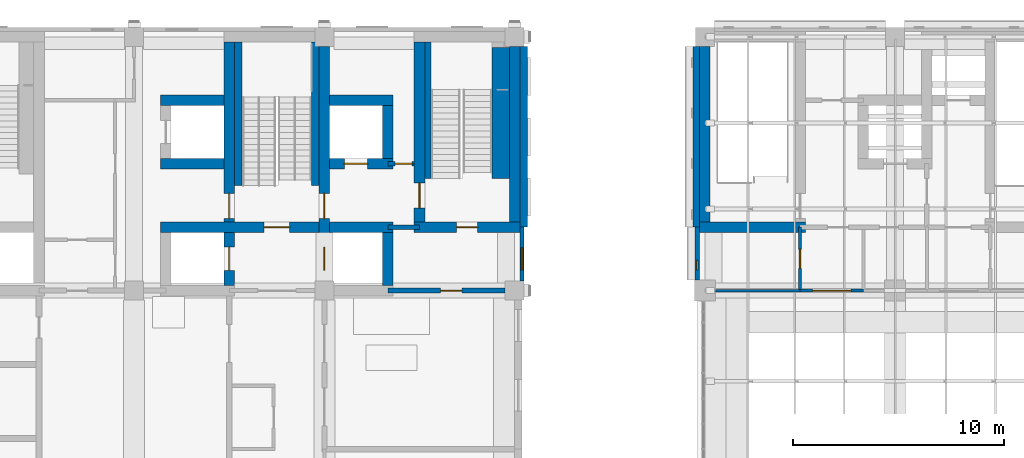
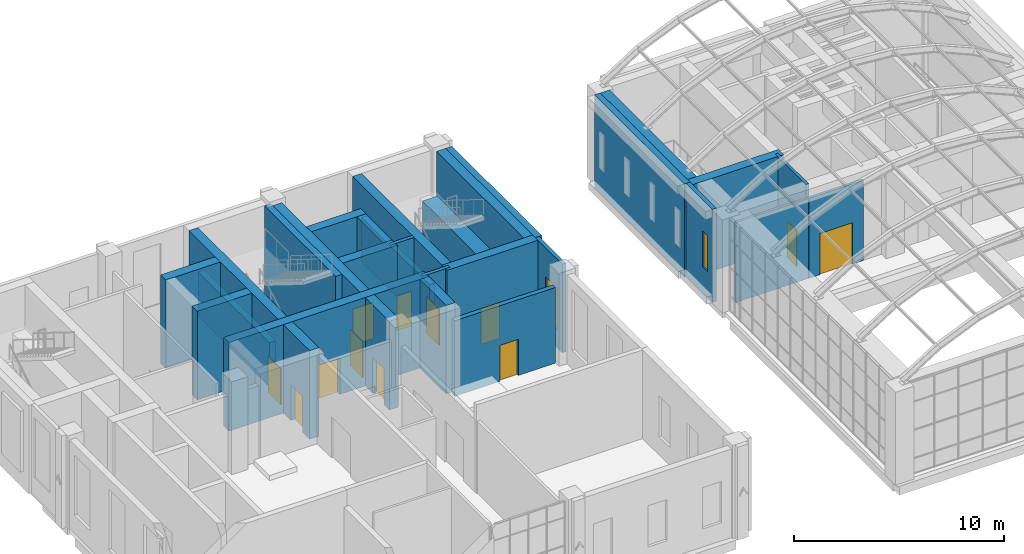
# One storey, part 29 of 39: 28 walls, 12 doors, 2 windows, 14 openings.
"""IFC4 building model written with IfcOpenShell, lengths in metres."""

from ifc_helpers import new_model, si_unit, direction, frame, frame_2d, origin, place, context, subcontext, project, spatial, rectangle, extrude, material, layer, layer_set, type_object, element, fill, save


model = new_model("IFC4")

# Units and contexts
model_context = context("Model", 3, precision=1e-05, world=origin(), true_north=direction((0.0, 1.0)))
body_context = subcontext(model_context, "Body", "Model", "MODEL_VIEW")
ifc_project = project(units=[si_unit("LENGTHUNIT", "METRE"), si_unit("AREAUNIT", "SQUARE_METRE"), si_unit("VOLUMEUNIT", "CUBIC_METRE"), si_unit("PLANEANGLEUNIT", "RADIAN"), si_unit("MASSUNIT", "GRAM", prefix="KILO")], contexts=[model_context])

# Site, building, storey
site_placement = place(None, origin())
site = spatial("IfcSite", under=ifc_project, at=site_placement, CompositionType="ELEMENT")
building_placement = place(site_placement, origin())
building = spatial("IfcBuilding", under=site, at=building_placement, Name="Aurelan Courthouse", CompositionType="ELEMENT")
storey_placement = place(building_placement, frame((0.0, 0.0, 28.199951171875)))
storey = spatial("IfcBuildingStorey", under=building, at=storey_placement, Name="L05", CompositionType="ELEMENT", Elevation=28.199951171875)

# Wall, opening, door
ifc_material_1 = material(Name="Gypsum board on metal studs")
ifc_layer_1 = layer(ifc_material_1, 0.14990234375)
ifc_layer_set_1 = layer_set([ifc_layer_1], Name="Gypsum board on metal studs")
wall_type_1 = type_object("IfcWallType", Name="Corridor partition 150 EI 60", PredefinedType="PARTITIONING", material=ifc_layer_set_1)
wall_1_placement = place(storey_placement, frame((76.5, 54.0, 0.0), z_axis=(0.0, 0.0, 1.0), x_axis=(1.0, 0.0, 0.0)))
wall_1 = element("IfcWall", 1, at=wall_1_placement, inside=storey, type_object=wall_type_1, Name="Corridor partition L05-027", PredefinedType="PARTITIONING", context=body_context, shape_type="SweptSolid", body=[
    extrude(rectangle(XDim=3.0, YDim=0.14990234375, at=frame_2d((1.5, 0.0))), origin(), (0.0, 0.0, 1.0), 4.650146484375),
])
opening_1_placement = place(wall_1_placement, frame((2.400146484375, 0.0, 0.0), z_axis=(0.0, 0.0, 1.0), x_axis=(-1.0, 0.0, 0.0)))
opening_1 = element("IfcOpeningElement", 2, at=opening_1_placement, cuts=wall_1, Name="Opening D-L05-044", PredefinedType="OPENING", context=body_context, shape_type="SweptSolid", body=[
    extrude(rectangle(XDim=1.800048828125, YDim=2.39990234375, at=frame_2d((0.89990234375, 1.199951171875))), frame((0.0, 0.0849609375, 0.0), z_axis=(0.0, -1.0, 0.0), x_axis=(1.0, 0.0, 0.0)), (0.0, 0.0, 1.0), 0.169921875),
])
ifc_material_2 = material(Name="Steel", Category="steel")
door_type_1 = type_object("IfcDoorType", Name="Double door 1800 x 2400 FD60", OperationType="DOUBLE_DOOR_SINGLE_SWING", PredefinedType="DOOR", material=ifc_material_2)
door_1_placement = place(opening_1_placement, origin())
door_1 = element("IfcDoor", 3, at=door_1_placement, inside=storey, type_object=door_type_1, Name="Double door D-L05-044", OperationType="DOUBLE_DOOR_SINGLE_SWING", OverallHeight=2.39990234375, OverallWidth=1.800048828125, PredefinedType="DOOR", context=body_context, shape_type="SweptSolid", body=[
    extrude(rectangle(XDim=1.800048828125, YDim=2.39990234375, at=frame_2d((0.89990234375, 1.199951171875))), frame((0.0, 0.02490234375, 0.0), z_axis=(0.0, -1.0, 0.0), x_axis=(1.0, 0.0, 0.0)), (0.0, 0.0, 1.0), 0.050048828125),
])
fill(opening_1, door_1)

wall_2_placement = place(storey_placement, frame((76.5, 54.0625, 0.0), z_axis=(0.0, 0.0, 1.0), x_axis=(0.0, 1.0, 0.0)))
wall_2 = element("IfcWall", 4, at=wall_2_placement, inside=storey, type_object=wall_type_1, Name="Corridor partition L05-060", PredefinedType="PARTITIONING", context=body_context, shape_type="SweptSolid", body=[
    extrude(rectangle(XDim=2.9375, YDim=0.14990234375, at=frame_2d((1.46875, 0.0))), origin(), (0.0, 0.0, 1.0), 5.400146484375),
])
opening_2_placement = place(wall_2_placement, frame((0.987548828125, 0.0, 0.0)))
opening_2 = element("IfcOpeningElement", 5, at=opening_2_placement, cuts=wall_2, Name="Opening D-L05-042", PredefinedType="OPENING", context=body_context, shape_type="SweptSolid", body=[
    extrude(rectangle(XDim=0.89990234375, YDim=2.10009765625, at=frame_2d((0.449951171875, 1.050048828125))), frame((0.0, 0.0849609375, 0.0), z_axis=(0.0, -1.0, 0.0), x_axis=(1.0, 0.0, 0.0)), (0.0, 0.0, 1.0), 0.169921875),
])
door_type_2 = type_object("IfcDoorType", Name="Single door 900 x 2100 FD60", OperationType="SINGLE_SWING_LEFT", PredefinedType="DOOR", material=ifc_material_2)
door_2_placement = place(opening_2_placement, origin())
door_2 = element("IfcDoor", 6, at=door_2_placement, inside=storey, type_object=door_type_2, Name="Single door D-L05-042", OperationType="SINGLE_SWING_LEFT", OverallHeight=2.10009765625, OverallWidth=0.89990234375, PredefinedType="DOOR", context=body_context, shape_type="SweptSolid", body=[
    extrude(rectangle(XDim=0.89990234375, YDim=2.10009765625, at=frame_2d((0.449951171875, 1.050048828125))), frame((0.0, 0.02490234375, 0.0), z_axis=(0.0, -1.0, 0.0), x_axis=(1.0, 0.0, 0.0)), (0.0, 0.0, 1.0), 0.050048828125),
])
fill(opening_2, door_2)

# Wall, opening, window
ifc_material_3 = material(Name="Limestone cladding", Category="masonry")
ifc_layer_2 = layer(ifc_material_3, 0.054931640625, Name="Facing")
ifc_material_4 = material(Name="Ventilated cavity")
ifc_layer_3 = layer(ifc_material_4, 0.02490234375, ventilated=True, Name="Ventilated cavity")
ifc_material_5 = material(Name="Mineral wool insulation")
ifc_layer_4 = layer(ifc_material_5, 0.030029296875, Name="Insulation")
ifc_material_6 = material(Name="Concrete C30", Category="concrete")
ifc_layer_5 = layer(ifc_material_6, 0.090087890625, Name="Structure")
ifc_layer_set_2 = layer_set([ifc_layer_2, ifc_layer_3, ifc_layer_4, ifc_layer_5], Name="Concrete C30")
wall_type_2 = type_object("IfcWallType", Name="Courtroom Block stone-faced wall 200", PredefinedType="SOLIDWALL", material=ifc_layer_set_2)
wall_3_placement = place(storey_placement, frame((63.35009765625, 54.449951171875, 0.0), z_axis=(0.0, 0.0, 1.0), x_axis=(0.0, 1.0, 0.0)))
wall_3 = element("IfcWall", 7, at=wall_3_placement, inside=storey, type_object=wall_type_2, Name="Facade wall FW-V2-L05-009", PredefinedType="SOLIDWALL", context=body_context, shape_type="SweptSolid", body=[
    extrude(rectangle(XDim=2.550048828125, YDim=0.199951171875, at=frame_2d((1.27490234375, 0.0))), origin(), (0.0, 0.0, 1.0), 5.150146484375),
])
opening_3_placement = place(wall_3_placement, frame((0.52490234375, 0.0, 1.050048828125)))
opening_3 = element("IfcOpeningElement", 8, at=opening_3_placement, cuts=wall_3, Name="Opening WN-V2-L05-014", PredefinedType="OPENING", context=body_context, shape_type="SweptSolid", body=[
    extrude(rectangle(XDim=1.050048828125, YDim=2.39990234375, at=frame_2d((0.52490234375, 1.199951171875))), frame((0.0, 0.10986328125, 0.0), z_axis=(0.0, -1.0, 0.0), x_axis=(1.0, 0.0, 0.0)), (0.0, 0.0, 1.0), 0.219970703125),
])
ifc_material_7 = material(Name="Bronze-finished aluminium and glass", Category="aluminium")
window_type_1 = type_object("IfcWindowType", Name="Courtroom Block window 1050 x 2400, sill 1050", PartitioningType="SINGLE_PANEL", PredefinedType="WINDOW", material=ifc_material_7)
window_1_placement = place(opening_3_placement, origin())
window_1 = element("IfcWindow", 9, at=window_1_placement, inside=storey, type_object=window_type_1, Name="Window WN-V2-L05-014", OverallHeight=2.39990234375, OverallWidth=1.050048828125, PartitioningType="SINGLE_PANEL", PredefinedType="WINDOW", context=body_context, shape_type="SweptSolid", body=[
    extrude(rectangle(XDim=1.050048828125, YDim=2.39990234375, at=frame_2d((0.52490234375, 1.199951171875))), frame((0.0, 0.030029296875, 0.0), z_axis=(0.0, -1.0, 0.0), x_axis=(1.0, 0.0, 0.0)), (0.0, 0.0, 1.0), 0.06005859375),
])
fill(opening_3, window_1)

# Wall
ifc_layer_6 = layer(ifc_material_3, 0.10009765625, Name="Facing")
ifc_layer_7 = layer(ifc_material_4, 0.02490234375, ventilated=True, Name="Ventilated cavity")
ifc_layer_8 = layer(ifc_material_5, 0.050048828125, Name="Insulation")
ifc_layer_9 = layer(ifc_material_6, 0.175048828125, Name="Structure")
ifc_layer_set_3 = layer_set([ifc_layer_6, ifc_layer_7, ifc_layer_8, ifc_layer_9], Name="Concrete C30")
wall_type_3 = type_object("IfcWallType", Name="Courtroom Block stone-faced wall 350", PredefinedType="SOLIDWALL", material=ifc_layer_set_3)
wall_4_placement = place(storey_placement, frame((63.425048828125, 57.0, 0.0), z_axis=(0.0, 0.0, 1.0), x_axis=(0.0, 1.0, 0.0)))
element("IfcWall", 10, at=wall_4_placement, inside=storey, type_object=wall_type_3, Name="Facade wall FW-V2-L05-010", PredefinedType="SOLIDWALL", context=body_context, shape_type="SweptSolid", body=[
    extrude(rectangle(XDim=8.550048828125, YDim=0.35009765625, at=frame_2d((4.27490234375, 0.0))), origin(), (0.0, 0.0, 1.0), 5.150146484375),
])

# Wall, opening, door
ifc_material_8 = material(Name="Masonry block", Category="masonry")
ifc_layer_10 = layer(ifc_material_8, 0.25)
ifc_layer_set_4 = layer_set([ifc_layer_10], Name="Masonry block")
wall_type_4 = type_object("IfcWallType", Name="Courtroom wall 250 EI 60", PredefinedType="PARTITIONING", material=ifc_layer_set_4)
wall_5_placement = place(storey_placement, frame((57.0, 54.0, 0.0), z_axis=(0.0, 0.0, 1.0), x_axis=(1.0, 0.0, 0.0)))
wall_5 = element("IfcWall", 11, at=wall_5_placement, inside=storey, type_object=wall_type_4, Name="Courtroom wall L05-025", PredefinedType="PARTITIONING", context=body_context, shape_type="SweptSolid", body=[
    extrude(rectangle(XDim=5.550048828125, YDim=0.25, at=frame_2d((2.77490234375, 0.0))), origin(), (0.0, 0.0, 1.0), 4.400146484375),
])
opening_4_placement = place(wall_5_placement, frame((2.5, 0.0, 0.0)))
opening_4 = element("IfcOpeningElement", 12, at=opening_4_placement, cuts=wall_5, Name="Opening D-L05-032", PredefinedType="OPENING", context=body_context, shape_type="SweptSolid", body=[
    extrude(rectangle(XDim=1.0, YDim=2.10009765625, at=frame_2d((0.5, 1.050048828125))), frame((0.0, 0.135009765625, 0.0), z_axis=(0.0, -1.0, 0.0), x_axis=(1.0, 0.0, 0.0)), (0.0, 0.0, 1.0), 0.27001953125),
])
door_type_3 = type_object("IfcDoorType", Name="Single door 1000 x 2100 FD30", OperationType="SINGLE_SWING_LEFT", PredefinedType="DOOR", material=ifc_material_2)
door_3_placement = place(opening_4_placement, origin())
door_3 = element("IfcDoor", 13, at=door_3_placement, inside=storey, type_object=door_type_3, Name="Single door D-L05-032", OperationType="SINGLE_SWING_LEFT", OverallHeight=2.10009765625, OverallWidth=1.0, PredefinedType="DOOR", context=body_context, shape_type="SweptSolid", body=[
    extrude(rectangle(XDim=1.0, YDim=2.10009765625, at=frame_2d((0.5, 1.050048828125))), frame((0.0, 0.02490234375, 0.0), z_axis=(0.0, -1.0, 0.0), x_axis=(1.0, 0.0, 0.0)), (0.0, 0.0, 1.0), 0.050048828125),
])
fill(opening_4, door_3)

# Wall, opening, window
ifc_layer_11 = layer(ifc_material_3, 0.06494140625, Name="Facing")
ifc_layer_12 = layer(ifc_material_4, 0.02490234375, ventilated=True, Name="Ventilated cavity")
ifc_layer_13 = layer(ifc_material_5, 0.030029296875, Name="Insulation")
ifc_layer_14 = layer(ifc_material_6, 0.10009765625, Name="Structure")
ifc_layer_set_5 = layer_set([ifc_layer_11, ifc_layer_12, ifc_layer_13, ifc_layer_14], Name="Concrete C30")
wall_type_5 = type_object("IfcWallType", Name="Law Library stone-faced wall 220", PredefinedType="SOLIDWALL", material=ifc_layer_set_5)
wall_6_placement = place(storey_placement, frame((71.639892578125, 54.5, 0.0), z_axis=(0.0, 0.0, 1.0), x_axis=(0.0, 1.0, 0.0)))
wall_6 = element("IfcWall", 14, at=wall_6_placement, inside=storey, type_object=wall_type_5, Name="Facade wall FW-V3-L05-005", PredefinedType="SOLIDWALL", context=body_context, shape_type="SweptSolid", body=[
    extrude(rectangle(XDim=2.5, YDim=0.219970703125, at=frame_2d((1.25, 0.0))), origin(), (0.0, 0.0, 1.0), 5.400146484375),
])
opening_5_placement = place(wall_6_placement, frame((0.47509765625, 0.0, 1.5)))
opening_5 = element("IfcOpeningElement", 15, at=opening_5_placement, cuts=wall_6, Name="Opening WN-V3-L05-002", PredefinedType="OPENING", context=body_context, shape_type="SweptSolid", body=[
    extrude(rectangle(XDim=0.449951171875, YDim=2.10009765625, at=frame_2d((0.22509765625, 1.050048828125))), frame((0.0, 0.119873046875, 0.0), z_axis=(0.0, -1.0, 0.0), x_axis=(1.0, 0.0, 0.0)), (0.0, 0.0, 1.0), 0.239990234375),
])
window_type_2 = type_object("IfcWindowType", Name="Law Library slit window 450 x 2100, sill 1500", PartitioningType="SINGLE_PANEL", PredefinedType="WINDOW", material=ifc_material_7)
window_2_placement = place(opening_5_placement, origin())
window_2 = element("IfcWindow", 16, at=window_2_placement, inside=storey, type_object=window_type_2, Name="Slit window WN-V3-L05-002", OverallHeight=2.10009765625, OverallWidth=0.449951171875, PartitioningType="SINGLE_PANEL", PredefinedType="WINDOW", context=body_context, shape_type="SweptSolid", body=[
    extrude(rectangle(XDim=0.449951171875, YDim=2.10009765625, at=frame_2d((0.22509765625, 1.050048828125))), frame((0.0, 0.030029296875, 0.0), z_axis=(0.0, -1.0, 0.0), x_axis=(1.0, 0.0, 0.0)), (0.0, 0.0, 1.0), 0.06005859375),
])
fill(opening_5, window_2)

# Walls
ifc_layer_15 = layer(ifc_material_3, 0.090087890625, Name="Facing")
ifc_layer_16 = layer(ifc_material_4, 0.02490234375, ventilated=True, Name="Ventilated cavity")
ifc_layer_17 = layer(ifc_material_5, 0.044921875, Name="Insulation")
ifc_layer_18 = layer(ifc_material_6, 0.159912109375, Name="Structure")
ifc_layer_set_6 = layer_set([ifc_layer_15, ifc_layer_16, ifc_layer_17, ifc_layer_18], Name="Concrete C30")
wall_type_6 = type_object("IfcWallType", Name="Law Library stone-faced wall 320", PredefinedType="SOLIDWALL", material=ifc_layer_set_6)
wall_7_placement = place(storey_placement, frame((71.590087890625, 57.0, 0.0), z_axis=(0.0, 0.0, 1.0), x_axis=(0.0, 1.0, 0.0)))
element("IfcWall", 17, at=wall_7_placement, inside=storey, type_object=wall_type_6, Name="Facade wall FW-V3-L05-006", PredefinedType="SOLIDWALL", context=body_context, shape_type="SweptSolid", body=[
    extrude(rectangle(XDim=8.550048828125, YDim=0.320068359375, at=frame_2d((4.27490234375, 0.0))), origin(), (0.0, 0.0, 1.0), 5.400146484375),
])
ifc_layer_19 = layer(ifc_material_8, 0.199951171875)
ifc_layer_set_7 = layer_set([ifc_layer_19], Name="Masonry block")
wall_type_7 = type_object("IfcWallType", Name="Lift lobby wall 200 EI 60", PredefinedType="PARTITIONING", material=ifc_layer_set_7)
wall_8_placement = place(storey_placement, frame((57.0, 57.0, 0.0), z_axis=(0.0, 0.0, 1.0), x_axis=(1.0, 0.0, 0.0)))
element("IfcWall", 18, at=wall_8_placement, inside=storey, type_object=wall_type_7, Name="Lift lobby wall L05-033", PredefinedType="PARTITIONING", context=body_context, shape_type="SweptSolid", body=[
    extrude(rectangle(XDim=1.5, YDim=0.199951171875, at=frame_2d((0.75, 0.0))), origin(), (0.0, 0.0, 1.0), 5.150146484375),
])

# Wall, openings, doors
ifc_material_9 = material(Name="Concrete C50", Category="concrete")
ifc_layer_20 = layer(ifc_material_9, 0.5)
ifc_layer_set_8 = layer_set([ifc_layer_20], Name="Concrete C50")
wall_type_8 = type_object("IfcWallType", Name="RC shear wall 500", PredefinedType="SHEAR", material=ifc_layer_set_8)
wall_9_placement = place(storey_placement, frame((49.5, 54.25, 0.0), z_axis=(0.0, 0.0, 1.0), x_axis=(0.0, 1.0, 0.0)))
wall_9 = element("IfcWall", 19, at=wall_9_placement, inside=storey, type_object=wall_type_8, Name="Core wall SW-L05-022", PredefinedType="SHEAR", context=body_context, shape_type="SweptSolid", body=[
    extrude(rectangle(XDim=11.5, YDim=0.5, at=frame_2d((5.75, 0.0))), origin(), (0.0, 0.0, 1.0), 5.150146484375),
])
opening_6_placement = place(wall_9_placement, frame((0.699951171875, 0.0, 0.0)))
opening_6 = element("IfcOpeningElement", 20, at=opening_6_placement, cuts=wall_9, Name="Opening LD-V2-P1-L05", PredefinedType="OPENING", context=body_context, shape_type="SweptSolid", body=[
    extrude(rectangle(XDim=1.10009765625, YDim=2.10009765625, at=frame_2d((0.550048828125, 1.050048828125))), frame((0.0, 0.260009765625, 0.0), z_axis=(0.0, -1.0, 0.0), x_axis=(1.0, 0.0, 0.0)), (0.0, 0.0, 1.0), 0.52001953125),
])
opening_7_placement = place(wall_9_placement, frame((4.349853515625, 0.0, 0.0), z_axis=(0.0, 0.0, 1.0), x_axis=(-1.0, 0.0, 0.0)))
opening_7 = element("IfcOpeningElement", 21, at=opening_7_placement, cuts=wall_9, Name="Opening D-L05-011", PredefinedType="OPENING", context=body_context, shape_type="SweptSolid", body=[
    extrude(rectangle(XDim=1.199951171875, YDim=2.10009765625, at=frame_2d((0.60009765625, 1.050048828125))), frame((0.0, 0.260009765625, 0.0), z_axis=(0.0, -1.0, 0.0), x_axis=(1.0, 0.0, 0.0)), (0.0, 0.0, 1.0), 0.52001953125),
])
door_type_4 = type_object("IfcDoorType", Name="Lift landing door 1100 x 2100 FD90", OperationType="SLIDING_TO_LEFT", PredefinedType="DOOR", material=ifc_material_2)
door_4_placement = place(opening_6_placement, origin())
door_4 = element("IfcDoor", 22, at=door_4_placement, inside=storey, type_object=door_type_4, Name="Lift landing door LD-V2-P1-L05", OperationType="SLIDING_TO_LEFT", OverallHeight=2.10009765625, OverallWidth=1.10009765625, PredefinedType="DOOR", context=body_context, shape_type="SweptSolid", body=[
    extrude(rectangle(XDim=1.10009765625, YDim=2.10009765625, at=frame_2d((0.550048828125, 1.050048828125))), frame((0.0, 0.02490234375, 0.0), z_axis=(0.0, -1.0, 0.0), x_axis=(1.0, 0.0, 0.0)), (0.0, 0.0, 1.0), 0.050048828125),
])
fill(opening_6, door_4)
door_type_5 = type_object("IfcDoorType", Name="Single door 1200 x 2100 FD90", OperationType="SINGLE_SWING_LEFT", PredefinedType="DOOR", material=ifc_material_2)
door_5_placement = place(opening_7_placement, origin())
door_5 = element("IfcDoor", 23, at=door_5_placement, inside=storey, type_object=door_type_5, Name="Single door D-L05-011", OperationType="SINGLE_SWING_RIGHT", OverallHeight=2.10009765625, OverallWidth=1.199951171875, PredefinedType="DOOR", context=body_context, shape_type="SweptSolid", body=[
    extrude(rectangle(XDim=1.199951171875, YDim=2.10009765625, at=frame_2d((0.60009765625, 1.050048828125))), frame((0.0, 0.02490234375, 0.0), z_axis=(0.0, -1.0, 0.0), x_axis=(1.0, 0.0, 0.0)), (0.0, 0.0, 1.0), 0.050048828125),
])
fill(opening_7, door_5)

# Wall
wall_10_placement = place(storey_placement, frame((57.0, 54.25, 0.0), z_axis=(0.0, 0.0, 1.0), x_axis=(0.0, 1.0, 0.0)))
element("IfcWall", 24, at=wall_10_placement, inside=storey, type_object=wall_type_8, Name="Core wall SW-L05-023", PredefinedType="SHEAR", context=body_context, shape_type="SweptSolid", body=[
    extrude(rectangle(XDim=2.5, YDim=0.5, at=frame_2d((1.25, 0.0))), origin(), (0.0, 0.0, 1.0), 5.150146484375),
])

# Wall, openings, doors
wall_11_placement = place(storey_placement, frame((54.0, 54.449951171875, 0.0), z_axis=(0.0, 0.0, 1.0), x_axis=(0.0, 1.0, 0.0)))
wall_11 = element("IfcWall", 25, at=wall_11_placement, inside=storey, type_object=wall_type_8, Name="Core wall SW-L05-024", PredefinedType="SHEAR", context=body_context, shape_type="SweptSolid", body=[
    extrude(rectangle(XDim=11.10009765625, YDim=0.5, at=frame_2d((5.550048828125, 0.0))), origin(), (0.0, 0.0, 1.0), 5.150146484375),
])
opening_8_placement = place(wall_11_placement, frame((0.5, 0.0, 0.0)))
opening_8 = element("IfcOpeningElement", 26, at=opening_8_placement, cuts=wall_11, Name="Opening LD-V2-P2-L05", PredefinedType="OPENING", context=body_context, shape_type="SweptSolid", body=[
    extrude(rectangle(XDim=1.10009765625, YDim=2.10009765625, at=frame_2d((0.550048828125, 1.050048828125))), frame((0.0, 0.260009765625, 0.0), z_axis=(0.0, -1.0, 0.0), x_axis=(1.0, 0.0, 0.0)), (0.0, 0.0, 1.0), 0.52001953125),
])
opening_9_placement = place(wall_11_placement, frame((2.949951171875, 0.0, 0.0)))
opening_9 = element("IfcOpeningElement", 27, at=opening_9_placement, cuts=wall_11, Name="Opening D-L05-007", PredefinedType="OPENING", context=body_context, shape_type="SweptSolid", body=[
    extrude(rectangle(XDim=1.199951171875, YDim=2.10009765625, at=frame_2d((0.60009765625, 1.050048828125))), frame((0.0, 0.260009765625, 0.0), z_axis=(0.0, -1.0, 0.0), x_axis=(1.0, 0.0, 0.0)), (0.0, 0.0, 1.0), 0.52001953125),
])
door_6_placement = place(opening_8_placement, origin())
door_6 = element("IfcDoor", 28, at=door_6_placement, inside=storey, type_object=door_type_4, Name="Lift landing door LD-V2-P2-L05", OperationType="SLIDING_TO_LEFT", OverallHeight=2.10009765625, OverallWidth=1.10009765625, PredefinedType="DOOR", context=body_context, shape_type="SweptSolid", body=[
    extrude(rectangle(XDim=1.10009765625, YDim=2.10009765625, at=frame_2d((0.550048828125, 1.050048828125))), frame((0.0, 0.02490234375, 0.0), z_axis=(0.0, -1.0, 0.0), x_axis=(1.0, 0.0, 0.0)), (0.0, 0.0, 1.0), 0.050048828125),
])
fill(opening_8, door_6)
door_7_placement = place(opening_9_placement, origin())
door_7 = element("IfcDoor", 29, at=door_7_placement, inside=storey, type_object=door_type_5, Name="Single door D-L05-007", OperationType="SINGLE_SWING_LEFT", OverallHeight=2.10009765625, OverallWidth=1.199951171875, PredefinedType="DOOR", context=body_context, shape_type="SweptSolid", body=[
    extrude(rectangle(XDim=1.199951171875, YDim=2.10009765625, at=frame_2d((0.60009765625, 1.050048828125))), frame((0.0, 0.02490234375, 0.0), z_axis=(0.0, -1.0, 0.0), x_axis=(1.0, 0.0, 0.0)), (0.0, 0.0, 1.0), 0.050048828125),
])
fill(opening_9, door_7)

# Wall, opening, door
wall_12_placement = place(storey_placement, frame((46.25, 57.0, 0.0), z_axis=(0.0, 0.0, 1.0), x_axis=(1.0, 0.0, 0.0)))
wall_12 = element("IfcWall", 30, at=wall_12_placement, inside=storey, type_object=wall_type_8, Name="Core wall SW-L05-026", PredefinedType="SHEAR", context=body_context, shape_type="SweptSolid", body=[
    extrude(rectangle(XDim=11.0, YDim=0.5, at=frame_2d((5.5, 0.0))), origin(), (0.0, 0.0, 1.0), 5.150146484375),
])
opening_10_placement = place(wall_12_placement, frame((4.89990234375, 0.0, 0.0)))
opening_10 = element("IfcOpeningElement", 31, at=opening_10_placement, cuts=wall_12, Name="Opening D-L05-005", PredefinedType="OPENING", context=body_context, shape_type="SweptSolid", body=[
    extrude(rectangle(XDim=1.199951171875, YDim=2.10009765625, at=frame_2d((0.60009765625, 1.050048828125))), frame((0.0, 0.260009765625, 0.0), z_axis=(0.0, -1.0, 0.0), x_axis=(1.0, 0.0, 0.0)), (0.0, 0.0, 1.0), 0.52001953125),
])
door_8_placement = place(opening_10_placement, origin())
door_8 = element("IfcDoor", 32, at=door_8_placement, inside=storey, type_object=door_type_5, Name="Single door D-L05-005", OperationType="SINGLE_SWING_RIGHT", OverallHeight=2.10009765625, OverallWidth=1.199951171875, PredefinedType="DOOR", context=body_context, shape_type="SweptSolid", body=[
    extrude(rectangle(XDim=1.199951171875, YDim=2.10009765625, at=frame_2d((0.60009765625, 1.050048828125))), frame((0.0, 0.02490234375, 0.0), z_axis=(0.0, -1.0, 0.0), x_axis=(1.0, 0.0, 0.0)), (0.0, 0.0, 1.0), 0.050048828125),
])
fill(opening_10, door_8)

wall_13_placement = place(storey_placement, frame((58.25, 57.0, 0.0), z_axis=(0.0, 0.0, 1.0), x_axis=(1.0, 0.0, 0.0)))
wall_13 = element("IfcWall", 33, at=wall_13_placement, inside=storey, type_object=wall_type_8, Name="Core wall SW-L05-027", PredefinedType="SHEAR", context=body_context, shape_type="SweptSolid", body=[
    extrude(rectangle(XDim=5.0, YDim=0.5, at=frame_2d((2.5, 0.0))), origin(), (0.0, 0.0, 1.0), 5.150146484375),
])
opening_11_placement = place(wall_13_placement, frame((2.0, 0.0, 0.0)))
opening_11 = element("IfcOpeningElement", 34, at=opening_11_placement, cuts=wall_13, Name="Opening D-L05-031", PredefinedType="OPENING", context=body_context, shape_type="SweptSolid", body=[
    extrude(rectangle(XDim=1.0, YDim=2.10009765625, at=frame_2d((0.5, 1.050048828125))), frame((0.0, 0.260009765625, 0.0), z_axis=(0.0, -1.0, 0.0), x_axis=(1.0, 0.0, 0.0)), (0.0, 0.0, 1.0), 0.52001953125),
])
door_type_6 = type_object("IfcDoorType", Name="Single door 1000 x 2100 FD90", OperationType="SINGLE_SWING_LEFT", PredefinedType="DOOR", material=ifc_material_2)
door_9_placement = place(opening_11_placement, origin())
door_9 = element("IfcDoor", 35, at=door_9_placement, inside=storey, type_object=door_type_6, Name="Single door D-L05-031", OperationType="SINGLE_SWING_RIGHT", OverallHeight=2.10009765625, OverallWidth=1.0, PredefinedType="DOOR", context=body_context, shape_type="SweptSolid", body=[
    extrude(rectangle(XDim=1.0, YDim=2.10009765625, at=frame_2d((0.5, 1.050048828125))), frame((0.0, 0.02490234375, 0.0), z_axis=(0.0, -1.0, 0.0), x_axis=(1.0, 0.0, 0.0)), (0.0, 0.0, 1.0), 0.050048828125),
])
fill(opening_11, door_9)

# Wall
wall_14_placement = place(storey_placement, frame((71.75, 57.0, 0.0), z_axis=(0.0, 0.0, 1.0), x_axis=(1.0, 0.0, 0.0)))
element("IfcWall", 36, at=wall_14_placement, inside=storey, type_object=wall_type_8, Name="Core wall SW-L05-028", PredefinedType="SHEAR", context=body_context, shape_type="SweptSolid", body=[
    extrude(rectangle(XDim=5.0, YDim=0.5, at=frame_2d((2.5, 0.0))), origin(), (0.0, 0.0, 1.0), 5.400146484375),
])

# Wall, opening, door
wall_15_placement = place(storey_placement, frame((58.5, 57.25, 0.0), z_axis=(0.0, 0.0, 1.0), x_axis=(0.0, 1.0, 0.0)))
wall_15 = element("IfcWall", 37, at=wall_15_placement, inside=storey, type_object=wall_type_8, Name="Core wall SW-L05-031", PredefinedType="SHEAR", context=body_context, shape_type="SweptSolid", body=[
    extrude(rectangle(XDim=8.5, YDim=0.5, at=frame_2d((4.25, 0.0))), origin(), (0.0, 0.0, 1.0), 5.150146484375),
])
opening_12_placement = place(wall_15_placement, frame((1.849853515625, 0.0, 0.0), z_axis=(0.0, 0.0, 1.0), x_axis=(-1.0, 0.0, 0.0)))
opening_12 = element("IfcOpeningElement", 38, at=opening_12_placement, cuts=wall_15, Name="Opening D-L05-008", PredefinedType="OPENING", context=body_context, shape_type="SweptSolid", body=[
    extrude(rectangle(XDim=1.199951171875, YDim=2.10009765625, at=frame_2d((0.60009765625, 1.050048828125))), frame((0.0, 0.260009765625, 0.0), z_axis=(0.0, -1.0, 0.0), x_axis=(1.0, 0.0, 0.0)), (0.0, 0.0, 1.0), 0.52001953125),
])
door_10_placement = place(opening_12_placement, origin())
door_10 = element("IfcDoor", 39, at=door_10_placement, inside=storey, type_object=door_type_5, Name="Single door D-L05-008", OperationType="SINGLE_SWING_RIGHT", OverallHeight=2.10009765625, OverallWidth=1.199951171875, PredefinedType="DOOR", context=body_context, shape_type="SweptSolid", body=[
    extrude(rectangle(XDim=1.199951171875, YDim=2.10009765625, at=frame_2d((0.60009765625, 1.050048828125))), frame((0.0, 0.02490234375, 0.0), z_axis=(0.0, -1.0, 0.0), x_axis=(1.0, 0.0, 0.0)), (0.0, 0.0, 1.0), 0.050048828125),
])
fill(opening_12, door_10)

# Walls
wall_16_placement = place(storey_placement, frame((63.0, 57.25, 0.0), z_axis=(0.0, 0.0, 1.0), x_axis=(0.0, 1.0, 0.0)))
element("IfcWall", 40, at=wall_16_placement, inside=storey, type_object=wall_type_8, Name="Core wall SW-L05-032", PredefinedType="SHEAR", context=body_context, shape_type="SweptSolid", body=[
    extrude(rectangle(XDim=8.300048828125, YDim=0.5, at=frame_2d((4.14990234375, 0.0))), origin(), (0.0, 0.0, 1.0), 5.150146484375),
])
wall_17_placement = place(storey_placement, frame((72.0, 57.25, 0.0), z_axis=(0.0, 0.0, 1.0), x_axis=(0.0, 1.0, 0.0)))
element("IfcWall", 41, at=wall_17_placement, inside=storey, type_object=wall_type_8, Name="Core wall SW-L05-033", PredefinedType="SHEAR", context=body_context, shape_type="SweptSolid", body=[
    extrude(rectangle(XDim=8.300048828125, YDim=0.5, at=frame_2d((4.14990234375, 0.0))), origin(), (0.0, 0.0, 1.0), 5.400146484375),
])
wall_18_placement = place(storey_placement, frame((46.25, 60.0, 0.0), z_axis=(0.0, 0.0, 1.0), x_axis=(1.0, 0.0, 0.0)))
element("IfcWall", 42, at=wall_18_placement, inside=storey, type_object=wall_type_8, Name="Core wall SW-L05-037", PredefinedType="SHEAR", context=body_context, shape_type="SweptSolid", body=[
    extrude(rectangle(XDim=3.0, YDim=0.5, at=frame_2d((1.5, 0.0))), origin(), (0.0, 0.0, 1.0), 5.150146484375),
])

# Wall, opening, door
wall_19_placement = place(storey_placement, frame((54.25, 60.0, 0.0), z_axis=(0.0, 0.0, 1.0), x_axis=(1.0, 0.0, 0.0)))
wall_19 = element("IfcWall", 43, at=wall_19_placement, inside=storey, type_object=wall_type_8, Name="Core wall SW-L05-038", PredefinedType="SHEAR", context=body_context, shape_type="SweptSolid", body=[
    extrude(rectangle(XDim=3.0, YDim=0.5, at=frame_2d((1.5, 0.0))), origin(), (0.0, 0.0, 1.0), 5.150146484375),
])
opening_13_placement = place(wall_19_placement, frame((0.699951171875, 0.0, 0.0)))
opening_13 = element("IfcOpeningElement", 44, at=opening_13_placement, cuts=wall_19, Name="Opening LD-V2-F1-L05", PredefinedType="OPENING", context=body_context, shape_type="SweptSolid", body=[
    extrude(rectangle(XDim=1.10009765625, YDim=2.10009765625, at=frame_2d((0.550048828125, 1.050048828125))), frame((0.0, 0.260009765625, 0.0), z_axis=(0.0, -1.0, 0.0), x_axis=(1.0, 0.0, 0.0)), (0.0, 0.0, 1.0), 0.52001953125),
])
door_11_placement = place(opening_13_placement, origin())
door_11 = element("IfcDoor", 45, at=door_11_placement, inside=storey, type_object=door_type_4, Name="Lift landing door LD-V2-F1-L05", OperationType="SLIDING_TO_LEFT", OverallHeight=2.10009765625, OverallWidth=1.10009765625, PredefinedType="DOOR", context=body_context, shape_type="SweptSolid", body=[
    extrude(rectangle(XDim=1.10009765625, YDim=2.10009765625, at=frame_2d((0.550048828125, 1.050048828125))), frame((0.0, 0.02490234375, 0.0), z_axis=(0.0, -1.0, 0.0), x_axis=(1.0, 0.0, 0.0)), (0.0, 0.0, 1.0), 0.050048828125),
])
fill(opening_13, door_11)

# Walls
wall_20_placement = place(storey_placement, frame((57.0, 60.25, 0.0), z_axis=(0.0, 0.0, 1.0), x_axis=(0.0, 1.0, 0.0)))
element("IfcWall", 46, at=wall_20_placement, inside=storey, type_object=wall_type_8, Name="Core wall SW-L05-041", PredefinedType="SHEAR", context=body_context, shape_type="SweptSolid", body=[
    extrude(rectangle(XDim=2.5, YDim=0.5, at=frame_2d((1.25, 0.0))), origin(), (0.0, 0.0, 1.0), 5.150146484375),
])
for number, where, z_axis, x_axis, name in (
    (47, (46.25, 63.0, 0.0), (0.0, 0.0, 1.0), (1.0, 0.0, 0.0), "Core wall SW-L05-044"),
    (48, (54.25, 63.0, 0.0), (0.0, 0.0, 1.0), (1.0, 0.0, 0.0), "Core wall SW-L05-045"),
):
    element("IfcWall", number, at=place(storey_placement, frame(where, z_axis=z_axis, x_axis=x_axis)), inside=storey, type_object=wall_type_8, Name=name, PredefinedType="SHEAR", context=body_context, shape_type="SweptSolid", body=[
        extrude(rectangle(XDim=3.0, YDim=0.5, at=frame_2d((1.5, 0.0))), origin(), (0.0, 0.0, 1.0), 5.150146484375),
    ])

# Wall, opening, door
ifc_layer_21 = layer(ifc_material_6, 0.199951171875)
ifc_layer_set_9 = layer_set([ifc_layer_21], Name="Concrete C30")
wall_type_9 = type_object("IfcWallType", Name="Shaft wall 200 EI 120 load-bearing", PredefinedType="SHEAR", material=ifc_layer_set_9)
wall_21_placement = place(storey_placement, frame((57.0, 60.0, 0.0), z_axis=(0.0, 0.0, 1.0), x_axis=(1.0, 0.0, 0.0)))
wall_21 = element("IfcWall", 49, at=wall_21_placement, inside=storey, type_object=wall_type_9, Name="Shaft wall L05-036", PredefinedType="SHEAR", context=body_context, shape_type="SweptSolid", body=[
    extrude(rectangle(XDim=1.25, YDim=0.199951171875, at=frame_2d((0.625, 0.0))), origin(), (0.0, 0.0, 1.0), 5.150146484375),
])
opening_14_placement = place(wall_21_placement, frame((1.150146484375, 0.0, 0.0), z_axis=(0.0, 0.0, 1.0), x_axis=(-1.0, 0.0, 0.0)))
opening_14 = element("IfcOpeningElement", 50, at=opening_14_placement, cuts=wall_21, Name="Opening D-L05-009", PredefinedType="OPENING", context=body_context, shape_type="SweptSolid", body=[
    extrude(rectangle(XDim=0.800048828125, YDim=2.0, at=frame_2d((0.39990234375, 1.0))), frame((0.0, 0.10986328125, 0.0), z_axis=(0.0, -1.0, 0.0), x_axis=(1.0, 0.0, 0.0)), (0.0, 0.0, 1.0), 0.219970703125),
])
door_type_7 = type_object("IfcDoorType", Name="Single door 800 x 2000 FD90", OperationType="SINGLE_SWING_LEFT", PredefinedType="DOOR", material=ifc_material_2)
door_12_placement = place(opening_14_placement, origin())
door_12 = element("IfcDoor", 51, at=door_12_placement, inside=storey, type_object=door_type_7, Name="Single door D-L05-009", OperationType="SINGLE_SWING_LEFT", OverallHeight=2.0, OverallWidth=0.800048828125, PredefinedType="DOOR", context=body_context, shape_type="SweptSolid", body=[
    extrude(rectangle(XDim=0.800048828125, YDim=2.0, at=frame_2d((0.39990234375, 1.0))), frame((0.0, 0.02490234375, 0.0), z_axis=(0.0, -1.0, 0.0), x_axis=(1.0, 0.0, 0.0)), (0.0, 0.0, 1.0), 0.050048828125),
])
fill(opening_14, door_12)

# Walls
ifc_layer_22 = layer(ifc_material_6, 0.2900390625)
ifc_layer_set_10 = layer_set([ifc_layer_22], Name="Concrete C30")
wall_type_10 = type_object("IfcWallType", Name="Stair well wall 290 EI 120 load-bearing", PredefinedType="SHEAR", material=ifc_layer_set_10)
wall_22_placement = place(storey_placement, frame((58.89501953125, 59.31005859375, 0.0), z_axis=(0.0, 0.0, 1.0), x_axis=(0.0, 1.0, 0.0)))
element("IfcWall", 52, at=wall_22_placement, inside=storey, type_object=wall_type_10, Name="Stair well wall ST-2E-L05 A", PredefinedType="SHEAR", context=body_context, shape_type="SweptSolid", body=[
    extrude(rectangle(XDim=6.43994140625, YDim=0.2900390625, at=frame_2d((3.219970703125, 0.0))), origin(), (0.0, 0.0, 1.0), 2.587158203125),
])
ifc_layer_23 = layer(ifc_material_6, 0.35009765625)
ifc_layer_set_11 = layer_set([ifc_layer_23], Name="Concrete C30")
wall_type_11 = type_object("IfcWallType", Name="Stair well wall 350 EI 120 load-bearing", PredefinedType="SHEAR", material=ifc_layer_set_11)
wall_23_placement = place(storey_placement, frame((49.925048828125, 58.9599609375, 0.0), z_axis=(0.0, 0.0, 1.0), x_axis=(0.0, 1.0, 0.0)))
element("IfcWall", 53, at=wall_23_placement, inside=storey, type_object=wall_type_11, Name="Stair well wall ST-2A-L05 A", PredefinedType="SHEAR", context=body_context, shape_type="SweptSolid", body=[
    extrude(rectangle(XDim=6.7900390625, YDim=0.35009765625, at=frame_2d((3.39501953125, 0.0))), origin(), (0.0, 0.0, 1.0), 2.587158203125),
])
wall_24_placement = place(storey_placement, frame((53.574951171875, 58.9599609375, 0.0), z_axis=(0.0, 0.0, 1.0), x_axis=(0.0, 1.0, 0.0)))
element("IfcWall", 54, at=wall_24_placement, inside=storey, type_object=wall_type_11, Name="Stair well wall ST-2A-L05 B", PredefinedType="SHEAR", context=body_context, shape_type="SweptSolid", body=[
    extrude(rectangle(XDim=6.7900390625, YDim=0.35009765625, at=frame_2d((3.39501953125, 0.0))), origin(), (0.0, 0.0, 1.0), 5.150146484375),
])
ifc_layer_24 = layer(ifc_material_6, 0.81005859375)
ifc_layer_set_12 = layer_set([ifc_layer_24], Name="Concrete C30")
wall_type_12 = type_object("IfcWallType", Name="Stair well wall 810 EI 120 load-bearing", PredefinedType="SHEAR", material=ifc_layer_set_12)
wall_25_placement = place(storey_placement, frame((62.344970703125, 59.31005859375, 0.0), z_axis=(0.0, 0.0, 1.0), x_axis=(0.0, 1.0, 0.0)))
element("IfcWall", 55, at=wall_25_placement, inside=storey, type_object=wall_type_12, Name="Stair well wall ST-2E-L05 B", PredefinedType="SHEAR", context=body_context, shape_type="SweptSolid", body=[
    extrude(rectangle(XDim=6.18994140625, YDim=0.81005859375, at=frame_2d((3.094970703125, 0.0))), origin(), (0.0, 0.0, 1.0), 2.587158203125),
])
ifc_material_10 = material(Name="Moisture-resistant board on metal studs")
ifc_layer_25 = layer(ifc_material_10, 0.125)
ifc_layer_set_13 = layer_set([ifc_layer_25], Name="Moisture-resistant board on metal studs")
wall_type_13 = type_object("IfcWallType", Name="Wet-area partition 125 NOT RATED", PredefinedType="PARTITIONING", material=ifc_layer_set_13)
wall_26_placement = place(storey_placement, frame((72.5, 54.0, 0.0), z_axis=(0.0, 0.0, 1.0), x_axis=(1.0, 0.0, 0.0)))
element("IfcWall", 56, at=wall_26_placement, inside=storey, type_object=wall_type_13, Name="Wet-area partition L05-026", PredefinedType="PARTITIONING", context=body_context, shape_type="SweptSolid", body=[
    extrude(rectangle(XDim=4.0, YDim=0.125, at=frame_2d((2.0, 0.0))), origin(), (0.0, 0.0, 1.0), 4.650146484375),
])

save(model, "model.ifc")
